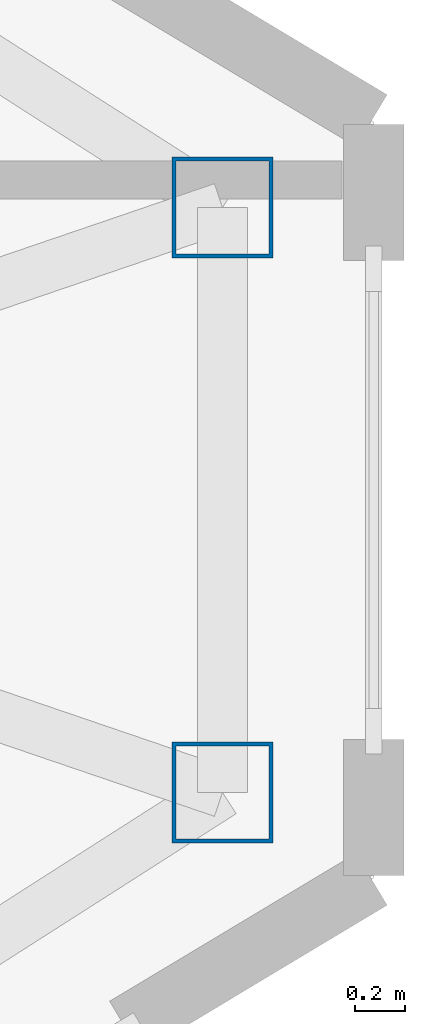
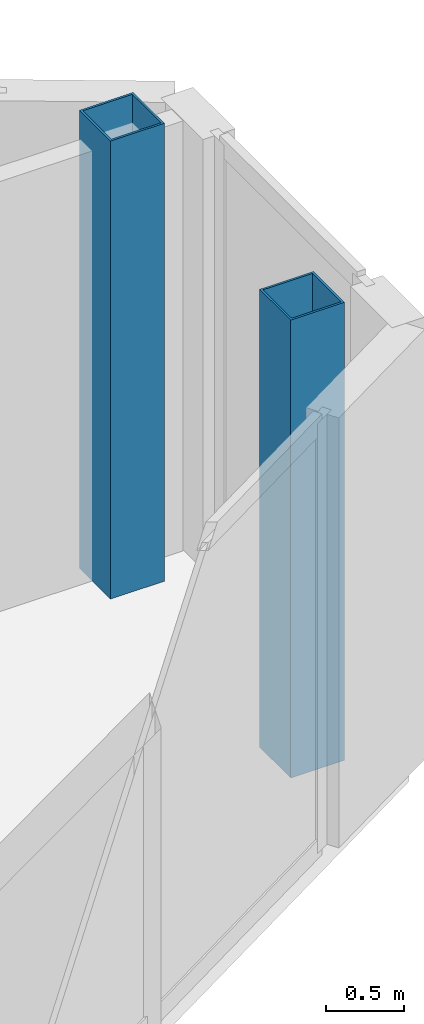
# One storey, part 4 of 26: 2 columns.
"""IFC4 building model written with IfcOpenShell, lengths in metres."""

from ifc_helpers import new_model, si_unit, direction, frame, origin, origin_2d, place, context, subcontext, project, spatial, hollow_rectangle, extrude, source, transform, mapped, material, material_profile, profile_set, type_object, type_shapes, element, save


model = new_model("IFC4")

# Units and contexts
model_context = context("Model", 3, precision=1e-05, world=origin(), true_north=direction((0.0, 1.0)))
body_context = subcontext(model_context, "Body", "Model", "MODEL_VIEW")
ifc_project = project(units=[si_unit("LENGTHUNIT", "METRE"), si_unit("AREAUNIT", "SQUARE_METRE"), si_unit("VOLUMEUNIT", "CUBIC_METRE"), si_unit("PLANEANGLEUNIT", "RADIAN"), si_unit("MASSUNIT", "GRAM", prefix="KILO")], contexts=[model_context])

# Site, building, storey
site_placement = place(None, origin())
site = spatial("IfcSite", under=ifc_project, at=site_placement, CompositionType="ELEMENT")
building_placement = place(site_placement, origin())
building = spatial("IfcBuilding", under=site, at=building_placement, Name="Seokmaru Belvedere", CompositionType="ELEMENT")
storey_placement = place(building_placement, frame((0.0, 0.0, 199.5)))
storey = spatial("IfcBuildingStorey", under=building, at=storey_placement, Name="L53", CompositionType="ELEMENT", Elevation=199.5)

# Columns
ifc_material = material(Name="Steel SM355 (355 MPa)", Category="steel")
ifc_material_profile = material_profile(ifc_material, hollow_rectangle(XDim=0.39990234375, YDim=0.39990234375, WallThickness=0.01611328125, at=origin_2d()), Name="HSS-400x400x16")
ifc_profile_set = profile_set([ifc_material_profile], Name="Steel SM355 (355 MPa)")
column_type = type_object("IfcColumnType", Name="Perimeter Facet Column HSS-400", PredefinedType="COLUMN", material=ifc_profile_set)
shared_shape = source(origin(), body_context, "Body", "SweptSolid", [
    extrude(hollow_rectangle(XDim=0.39990234375, YDim=0.39990234375, WallThickness=0.01611328125, at=origin_2d()), origin(), (0.0, 0.0, 1.0), 3.60009765625),
])
type_shapes(column_type, [shared_shape])
for number, where, z_axis, x_axis, name in (
    (1, (66.89990234375, -1.160400390625, 0.0), (0.0, 0.0, 1.0), (1.0, 0.0, 0.0), "L53 Column EF2"),
    (2, (66.89990234375, 1.160400390625, 0.0), (0.0, 0.0, 1.0), (1.0, 0.0, 0.0), "L53 Column EF3"),
):
    element("IfcColumn", number, at=place(storey_placement, frame(where, z_axis=z_axis, x_axis=x_axis)), inside=storey, type_object=column_type, Name=name, PredefinedType="COLUMN", context=body_context, shape_type="MappedRepresentation", body=[
        mapped(shared_shape, transform((0.0, 0.0, 0.0), scale=1.0)),
    ])

save(model, "model.ifc")
